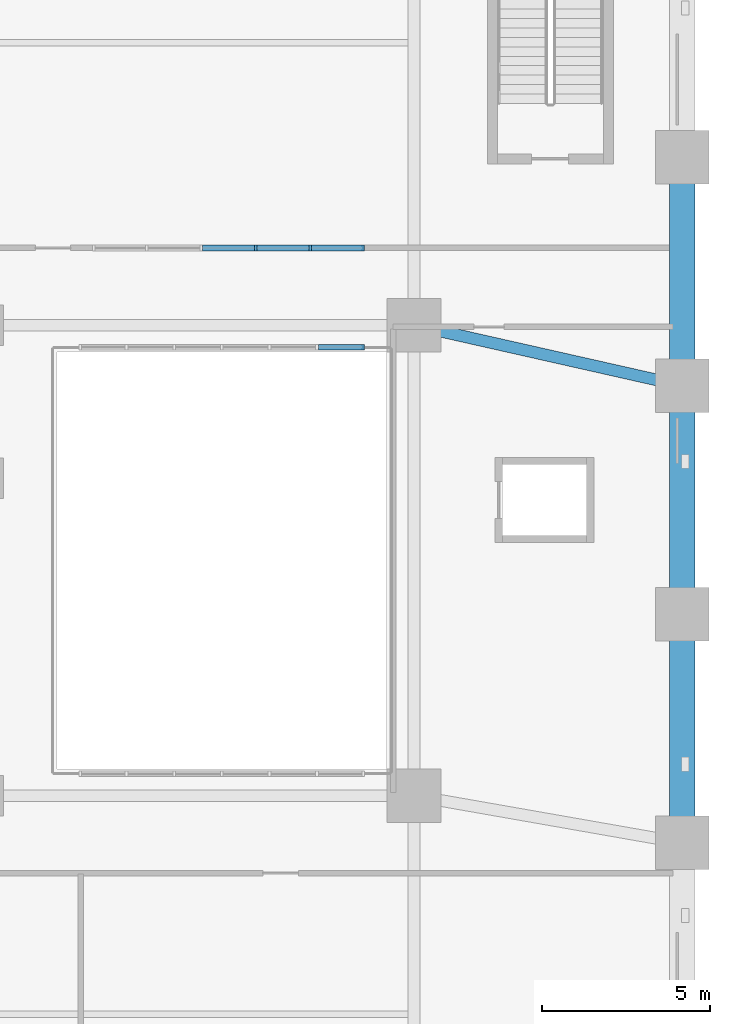
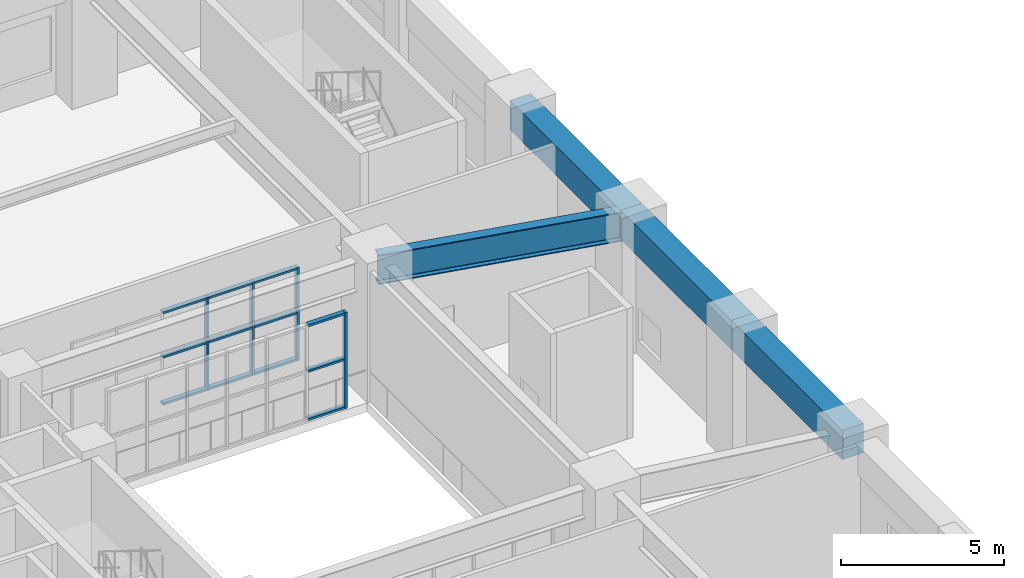
# One storey, part 5 of 14: 16 members, 4 beams, 2 elements without a shape of their own.
"""IFC4 building model written with IfcOpenShell, lengths in metres."""

from ifc_helpers import new_model, si_unit, derived_unit, direction, frame, origin, origin_2d, place, context, subcontext, project, spatial, rectangle, i_section, extrude, material, material_profile, profile_set, type_object, element, aggregate, save


model = new_model("IFC4")

# Units and contexts
model_context = context("Model", 3, precision=1e-05, world=origin(), true_north=direction((0.0, 1.0)))
body_context = subcontext(model_context, "Body", "Model", "MODEL_VIEW")
ifc_project = project(units=[si_unit("LENGTHUNIT", "METRE"), si_unit("AREAUNIT", "SQUARE_METRE"), si_unit("VOLUMEUNIT", "CUBIC_METRE"), si_unit("PLANEANGLEUNIT", "RADIAN"), si_unit("MASSUNIT", "GRAM", prefix="KILO"), derived_unit("THERMALTRANSMITTANCEUNIT", [(si_unit("MASSUNIT", "GRAM", prefix="KILO"), 1), (si_unit("TIMEUNIT", "SECOND"), -3), (si_unit("THERMODYNAMICTEMPERATUREUNIT", "KELVIN"), -1)])], contexts=[model_context])

# Site, building, storey
site_placement = place(None, origin())
site = spatial("IfcSite", under=ifc_project, at=site_placement, CompositionType="ELEMENT")
building_placement = place(site_placement, origin())
building = spatial("IfcBuilding", under=site, at=building_placement, Name="Korrvale Station Residences", CompositionType="ELEMENT")
storey_placement = place(building_placement, frame((0.0, 0.0, 6.0)))
storey = spatial("IfcBuildingStorey", under=building, at=storey_placement, Name="L01", CompositionType="ELEMENT", Elevation=6.0)

# Beams
ifc_material_1 = material(Name="Steel S355", Category="steel")
ifc_material_profile_1 = material_profile(ifc_material_1, i_section(OverallWidth=0.35009765625, OverallDepth=1.10009765625, WebThickness=0.01611328125, FlangeThickness=0.034912109375, FilletRadius=0.01806640625, at=origin_2d()), Name="WWF1100x351")
ifc_profile_set_1 = profile_set([ifc_material_profile_1], Name="Steel S355")
beam_type_1 = type_object("IfcBeamType", Name="BM-BM-WWF1100x351-S355", PredefinedType="BEAM", material=ifc_profile_set_1)
beam_1_placement = place(storey_placement, frame((46.02001953125, 29.0, 4.330078125), z_axis=(0.975490412643, -0.220041938824, 0.0), x_axis=(0.220041938824, 0.975490412643, 0.0)))
element("IfcBeam", 1, at=beam_1_placement, inside=storey, type_object=beam_type_1, Name="L01 Station Primary Girder 14", PredefinedType="BEAM", context=body_context, shape_type="SweptSolid", body=[
    extrude(i_section(OverallWidth=0.35009765625, OverallDepth=1.10009765625, WebThickness=0.01611328125, FlangeThickness=0.034912109375, FilletRadius=0.01806640625, at=origin_2d()), origin(), (0.0, 0.0, 1.0), 8.180419921875),
])
ifc_material_2 = material(Name="Concrete C70/85", Category="concrete")
ifc_material_profile_2 = material_profile(ifc_material_2, rectangle(XDim=0.75, YDim=1.10009765625, at=origin_2d()), Name="RCB750x1100")
ifc_profile_set_2 = profile_set([ifc_material_profile_2], Name="Concrete C70/85")
beam_type_2 = type_object("IfcBeamType", Name="BM-SPB-RCB750x1100-C7085", PredefinedType="SPANDREL", material=ifc_profile_set_2)
beam_2_placement = place(storey_placement, frame((54.0, 13.60009765625, 4.330078125), z_axis=(0.0, 1.0, 0.0), x_axis=(-1.0, 0.0, 0.0)))
element("IfcBeam", 2, at=beam_2_placement, inside=storey, type_object=beam_type_2, Name="L01 Station Spandrel Beam 07", PredefinedType="SPANDREL", context=body_context, shape_type="SweptSolid", body=[
    extrude(rectangle(XDim=0.75, YDim=1.10009765625, at=origin_2d()), origin(), (0.0, 0.0, 1.0), 6.7998046875),
])
for number, where, z_axis, x_axis, name in (
    (3, (54.0, 20.39990234375, 4.330078125), (0.0, 1.0, 0.0), (-1.0, 0.0, 0.0), "L01 Station Spandrel Beam 08"),
    (4, (54.0, 27.199951171875, 4.330078125), (0.0, 1.0, 0.0), (-1.0, 0.0, 0.0), "L01 Station Spandrel Beam 09"),
):
    element("IfcBeam", number, at=place(storey_placement, frame(where, z_axis=z_axis, x_axis=x_axis)), inside=storey, type_object=beam_type_2, Name=name, PredefinedType="SPANDREL", context=body_context, shape_type="SweptSolid", body=[
        extrude(rectangle(XDim=0.75, YDim=1.10009765625, at=origin_2d()), origin(), (0.0, 0.0, 1.0), 6.800048828125),
    ])

# Curtain wall, members
ifc_material_3 = material(Name="Unitised thermally broken aluminium curtain wall with triple low-e IGU", Category="aluminium")
curtain_wall_type_1 = type_object("IfcCurtainWallType", Name="CW-ATR-POD", PredefinedType="NOTDEFINED", material=ifc_material_3)
curtain_wall_1_placement = place(storey_placement, origin())
curtain_wall_1 = element("IfcCurtainWall", 5, at=curtain_wall_1_placement, inside=storey, type_object=curtain_wall_type_1, Name="L01 Curtain Wall CW3-RUN-2", PredefinedType="NOTDEFINED")
ifc_material_4 = material(Name="Extruded thermally broken aluminium mullion", Category="aluminium")
member_type_1 = type_object("IfcMemberType", Name="CW-ATR-POD-M", PredefinedType="MULLION", material=ifc_material_4)
member_1_placement = place(storey_placement, frame((44.510009765625, 28.35009765625, 0.0), z_axis=(0.0, 0.0, 1.0), x_axis=(1.0, 0.0, 0.0)))
member_1 = element("IfcMember", 6, at=member_1_placement, type_object=member_type_1, Name="CW-ATR-POD Mullion 7", PredefinedType="MULLION", context=body_context, shape_type="SweptSolid", body=[
    extrude(rectangle(XDim=0.080078125, YDim=0.1650390625, at=origin_2d()), origin(), (0.0, 0.0, 1.0), 3.60009765625),
])
ifc_material_5 = material(Name="Extruded thermally broken aluminium transom", Category="aluminium")
member_type_2 = type_object("IfcMemberType", Name="CW-ATR-POD-T", PredefinedType="USERDEFINED", material=ifc_material_5)
member_2_placement = place(storey_placement, frame((43.841796875, 28.35009765625, 0.0), z_axis=(0.0, 0.0, 1.0), x_axis=(1.0, 0.0, 0.0)))
member_2 = element("IfcMember", 7, at=member_2_placement, type_object=member_type_2, Name="CW-ATR-POD Transom 6-1", ObjectType="TRANSOM", PredefinedType="USERDEFINED", context=body_context, shape_type="SweptSolid", body=[
    extrude(rectangle(XDim=1.336669921875, YDim=0.1650390625, at=origin_2d()), origin(), (0.0, 0.0, 1.0), 0.080078125),
])
member_3_placement = place(storey_placement, frame((43.841796875, 28.35009765625, 1.81005859375), z_axis=(0.0, 0.0, 1.0), x_axis=(1.0, 0.0, 0.0)))
member_3 = element("IfcMember", 8, at=member_3_placement, type_object=member_type_2, Name="CW-ATR-POD Transom 6-2", ObjectType="TRANSOM", PredefinedType="USERDEFINED", context=body_context, shape_type="SweptSolid", body=[
    extrude(rectangle(XDim=1.336669921875, YDim=0.1650390625, at=origin_2d()), origin(), (0.0, 0.0, 1.0), 0.080078125),
])
member_4_placement = place(storey_placement, frame((43.841796875, 28.35009765625, 3.52001953125), z_axis=(0.0, 0.0, 1.0), x_axis=(1.0, 0.0, 0.0)))
member_4 = element("IfcMember", 9, at=member_4_placement, type_object=member_type_2, Name="CW-ATR-POD Transom 6-3", ObjectType="TRANSOM", PredefinedType="USERDEFINED", context=body_context, shape_type="SweptSolid", body=[
    extrude(rectangle(XDim=1.336669921875, YDim=0.1650390625, at=origin_2d()), origin(), (0.0, 0.0, 1.0), 0.080078125),
])
aggregate(curtain_wall_1, [member_1, member_2, member_3, member_4])

curtain_wall_type_2 = type_object("IfcCurtainWallType", Name="CW-STN-CON", PredefinedType="NOTDEFINED", material=ifc_material_3)
curtain_wall_2_placement = place(storey_placement, origin())
curtain_wall_2 = element("IfcCurtainWall", 10, at=curtain_wall_2_placement, inside=storey, type_object=curtain_wall_type_2, Name="L01 Curtain Wall CW2-RUN-4", PredefinedType="NOTDEFINED")
member_type_3 = type_object("IfcMemberType", Name="CW-STN-CON-M", PredefinedType="MULLION", material=ifc_material_4)
member_5_placement = place(storey_placement, frame((41.31005859375, 31.300048828125, 0.0), z_axis=(0.0, 0.0, 1.0), x_axis=(1.0, 0.0, 0.0)))
member_5 = element("IfcMember", 11, at=member_5_placement, type_object=member_type_3, Name="CW-STN-CON Mullion 4", PredefinedType="MULLION", context=body_context, shape_type="SweptSolid", body=[
    extrude(rectangle(XDim=0.080078125, YDim=0.169921875, at=origin_2d()), origin(), (0.0, 0.0, 1.0), 3.5),
])
member_6_placement = place(storey_placement, frame((42.929931640625, 31.300048828125, 0.0), z_axis=(0.0, 0.0, 1.0), x_axis=(1.0, 0.0, 0.0)))
member_6 = element("IfcMember", 12, at=member_6_placement, type_object=member_type_3, Name="CW-STN-CON Mullion 5", PredefinedType="MULLION", context=body_context, shape_type="SweptSolid", body=[
    extrude(rectangle(XDim=0.080078125, YDim=0.169921875, at=origin_2d()), origin(), (0.0, 0.0, 1.0), 3.5),
])
member_7_placement = place(storey_placement, frame((44.510009765625, 31.300048828125, 0.0), z_axis=(0.0, 0.0, 1.0), x_axis=(1.0, 0.0, 0.0)))
member_7 = element("IfcMember", 13, at=member_7_placement, type_object=member_type_3, Name="CW-STN-CON Mullion 6", PredefinedType="MULLION", context=body_context, shape_type="SweptSolid", body=[
    extrude(rectangle(XDim=0.080078125, YDim=0.169921875, at=origin_2d()), origin(), (0.0, 0.0, 1.0), 3.5),
])
member_type_4 = type_object("IfcMemberType", Name="CW-STN-CON-T", PredefinedType="USERDEFINED", material=ifc_material_5)
member_8_placement = place(storey_placement, frame((40.5, 31.300048828125, 0.0), z_axis=(0.0, 0.0, 1.0), x_axis=(1.0, 0.0, 0.0)))
member_8 = element("IfcMember", 14, at=member_8_placement, type_object=member_type_4, Name="CW-STN-CON Transom 3-1", ObjectType="TRANSOM", PredefinedType="USERDEFINED", context=body_context, shape_type="SweptSolid", body=[
    extrude(rectangle(XDim=1.5400390625, YDim=0.169921875, at=origin_2d()), origin(), (0.0, 0.0, 1.0), 0.080078125),
])
member_9_placement = place(storey_placement, frame((40.5, 31.300048828125, 1.760009765625), z_axis=(0.0, 0.0, 1.0), x_axis=(1.0, 0.0, 0.0)))
member_9 = element("IfcMember", 15, at=member_9_placement, type_object=member_type_4, Name="CW-STN-CON Transom 3-2", ObjectType="TRANSOM", PredefinedType="USERDEFINED", context=body_context, shape_type="SweptSolid", body=[
    extrude(rectangle(XDim=1.5400390625, YDim=0.169921875, at=origin_2d()), origin(), (0.0, 0.0, 1.0), 0.080078125),
])
member_10_placement = place(storey_placement, frame((40.5, 31.300048828125, 3.419921875), z_axis=(0.0, 0.0, 1.0), x_axis=(1.0, 0.0, 0.0)))
member_10 = element("IfcMember", 16, at=member_10_placement, type_object=member_type_4, Name="CW-STN-CON Transom 3-3", ObjectType="TRANSOM", PredefinedType="USERDEFINED", context=body_context, shape_type="SweptSolid", body=[
    extrude(rectangle(XDim=1.5400390625, YDim=0.169921875, at=origin_2d()), origin(), (0.0, 0.0, 1.0), 0.080078125),
])
member_11_placement = place(storey_placement, frame((42.1201171875, 31.300048828125, 0.0), z_axis=(0.0, 0.0, 1.0), x_axis=(1.0, 0.0, 0.0)))
member_11 = element("IfcMember", 17, at=member_11_placement, type_object=member_type_4, Name="CW-STN-CON Transom 4-1", ObjectType="TRANSOM", PredefinedType="USERDEFINED", context=body_context, shape_type="SweptSolid", body=[
    extrude(rectangle(XDim=1.5400390625, YDim=0.169921875, at=origin_2d()), origin(), (0.0, 0.0, 1.0), 0.080078125),
])
member_12_placement = place(storey_placement, frame((42.1201171875, 31.300048828125, 1.760009765625), z_axis=(0.0, 0.0, 1.0), x_axis=(1.0, 0.0, 0.0)))
member_12 = element("IfcMember", 18, at=member_12_placement, type_object=member_type_4, Name="CW-STN-CON Transom 4-2", ObjectType="TRANSOM", PredefinedType="USERDEFINED", context=body_context, shape_type="SweptSolid", body=[
    extrude(rectangle(XDim=1.5400390625, YDim=0.169921875, at=origin_2d()), origin(), (0.0, 0.0, 1.0), 0.080078125),
])
member_13_placement = place(storey_placement, frame((42.1201171875, 31.300048828125, 3.419921875), z_axis=(0.0, 0.0, 1.0), x_axis=(1.0, 0.0, 0.0)))
member_13 = element("IfcMember", 19, at=member_13_placement, type_object=member_type_4, Name="CW-STN-CON Transom 4-3", ObjectType="TRANSOM", PredefinedType="USERDEFINED", context=body_context, shape_type="SweptSolid", body=[
    extrude(rectangle(XDim=1.5400390625, YDim=0.169921875, at=origin_2d()), origin(), (0.0, 0.0, 1.0), 0.080078125),
])
member_14_placement = place(storey_placement, frame((43.739990234375, 31.300048828125, 0.0), z_axis=(0.0, 0.0, 1.0), x_axis=(1.0, 0.0, 0.0)))
member_14 = element("IfcMember", 20, at=member_14_placement, type_object=member_type_4, Name="CW-STN-CON Transom 5-1", ObjectType="TRANSOM", PredefinedType="USERDEFINED", context=body_context, shape_type="SweptSolid", body=[
    extrude(rectangle(XDim=1.5400390625, YDim=0.169921875, at=origin_2d()), origin(), (0.0, 0.0, 1.0), 0.080078125),
])
member_15_placement = place(storey_placement, frame((43.739990234375, 31.300048828125, 1.760009765625), z_axis=(0.0, 0.0, 1.0), x_axis=(1.0, 0.0, 0.0)))
member_15 = element("IfcMember", 21, at=member_15_placement, type_object=member_type_4, Name="CW-STN-CON Transom 5-2", ObjectType="TRANSOM", PredefinedType="USERDEFINED", context=body_context, shape_type="SweptSolid", body=[
    extrude(rectangle(XDim=1.5400390625, YDim=0.169921875, at=origin_2d()), origin(), (0.0, 0.0, 1.0), 0.080078125),
])
member_16_placement = place(storey_placement, frame((43.739990234375, 31.300048828125, 3.419921875), z_axis=(0.0, 0.0, 1.0), x_axis=(1.0, 0.0, 0.0)))
member_16 = element("IfcMember", 22, at=member_16_placement, type_object=member_type_4, Name="CW-STN-CON Transom 5-3", ObjectType="TRANSOM", PredefinedType="USERDEFINED", context=body_context, shape_type="SweptSolid", body=[
    extrude(rectangle(XDim=1.5400390625, YDim=0.169921875, at=origin_2d()), origin(), (0.0, 0.0, 1.0), 0.080078125),
])
aggregate(curtain_wall_2, [member_5, member_6, member_7, member_8, member_9, member_10, member_11, member_12, member_13, member_14, member_15, member_16])

save(model, "model.ifc")
